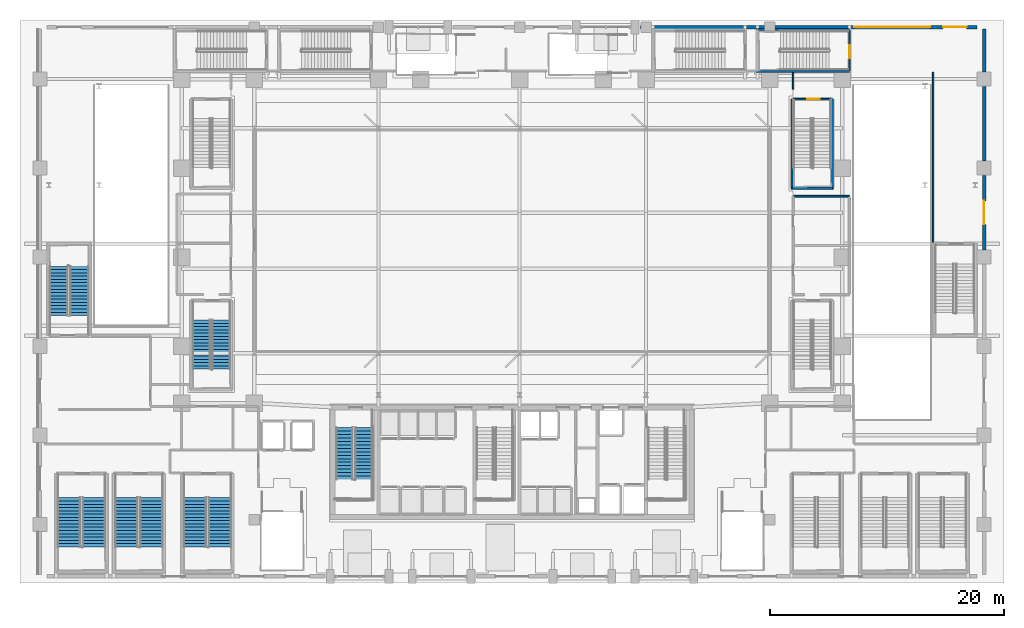
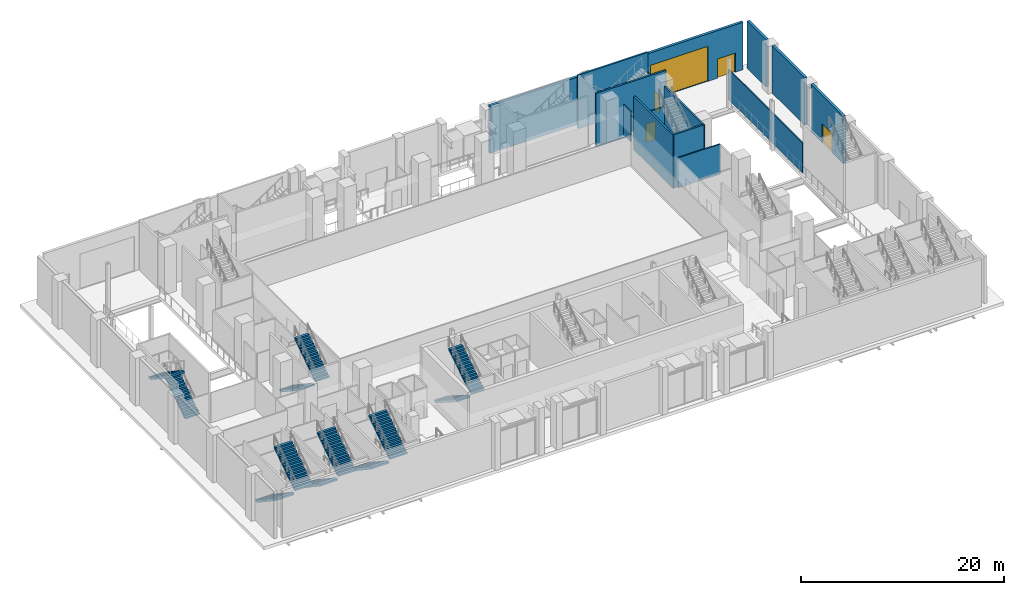
# One storey, part 23 of 36: 14 walls, 12 stair flights, 5 doors, 5 openings, 6 elements without a shape of their own.
"""IFC4 building model written with IfcOpenShell, lengths in metres."""

import ifcopenshell
import ifcopenshell.guid

model = None  # the IFC model being written
_history = None  # IfcOwnerHistory: only IFC2X3 demands one
_inside = {}  # id of a spatial element -> (the spatial element, [elements in it])
_under = {}  # id of a project, library or spatial element -> (it, [spatial elements below it])
_declared = {}  # id of a project -> (the project, [libraries it declares])
_typed = {}  # id of a type object -> (the type object, [elements of that type])
_made_of = {}  # id of a material, layer set ... -> (it, [elements and type objects made of it])


def new_model(schema):
    """Start an empty IFC model of exactly this schema.

    Asked for "IFC4X3", IfcOpenShell would pick the latest addendum, in which some entities
    have other attributes; the version numbers below select the first issue.
    IFC2X3 requires an IfcOwnerHistory on every rooted entity: one is made here for all.
    """
    global model, _history
    if schema == "IFC4X3":
        model = ifcopenshell.file(schema_version=(4, 3, 0, 0))
    else:
        model = ifcopenshell.file(schema=schema)
    _inside.clear()
    _under.clear()
    _declared.clear()
    _typed.clear()
    _made_of.clear()
    _history = None
    if model.schema == "IFC2X3":
        org = make("IfcOrganization", Name="unknown")
        user = make(
            "IfcPersonAndOrganization",
            ThePerson=make("IfcPerson", FamilyName="unknown"),
            TheOrganization=org,
        )
        app = make(
            "IfcApplication",
            ApplicationDeveloper=org,
            Version="unknown",
            ApplicationFullName="unknown",
            ApplicationIdentifier="unknown",
        )
        _history = make(
            "IfcOwnerHistory",
            OwningUser=user,
            OwningApplication=app,
            ChangeAction="ADDED",
            CreationDate=0,
        )
    return model


def make(cls, **values):
    """One entity of the class cls with the attributes given. An attribute that is None is left unset."""
    return model.create_entity(
        cls, **{name: value for name, value in values.items() if value is not None}
    )


def rooted(cls, **values):
    """An entity with a GlobalId (a new one), such as an element, a storey or a relation."""
    return make(cls, GlobalId=ifcopenshell.guid.new(), OwnerHistory=_history, **values)


def si_unit(unit_type, name, prefix=None):
    """IfcSIUnit, for example si_unit("LENGTHUNIT", "METRE", prefix="MILLI")."""
    return make("IfcSIUnit", UnitType=unit_type, Prefix=prefix, Name=name)


def assignment(units):
    """IfcUnitAssignment: the units of a project."""
    return None if units is None else make("IfcUnitAssignment", Units=units)


def point(xyz):
    """IfcCartesianPoint."""
    return None if xyz is None else make("IfcCartesianPoint", Coordinates=xyz)


def direction(xyz):
    """IfcDirection."""
    return None if xyz is None else make("IfcDirection", DirectionRatios=xyz)


def frame(location, z_axis=None, x_axis=None):
    """IfcAxis2Placement3D, a coordinate frame: its origin and axes. An axis left out is left unset."""
    return make(
        "IfcAxis2Placement3D",
        Location=point(location),
        Axis=direction(z_axis),
        RefDirection=direction(x_axis),
    )


def frame_2d(location, x_axis=None):
    """IfcAxis2Placement2D, a coordinate frame in the plane: its origin and x axis."""
    return make(
        "IfcAxis2Placement2D", Location=point(location), RefDirection=direction(x_axis)
    )


def origin():
    """The frame at (0, 0, 0) with its axes left unset."""
    return frame((0.0, 0.0, 0.0))


def place(relative_to, where):
    """IfcLocalPlacement: puts the frame where relative to a parent placement (None: the world)."""
    return make(
        "IfcLocalPlacement", PlacementRelTo=relative_to, RelativePlacement=where
    )


def context(
    kind, dimensions, precision=None, world=None, true_north=None, identifier=None
):
    """IfcGeometricRepresentationContext, for example the 3D "Model" context."""
    return make(
        "IfcGeometricRepresentationContext",
        ContextIdentifier=identifier,
        ContextType=kind,
        CoordinateSpaceDimension=dimensions,
        Precision=precision,
        WorldCoordinateSystem=world,
        TrueNorth=true_north,
    )


def subcontext(parent, identifier, kind, view, scale=None):
    """IfcGeometricRepresentationSubContext, for example "Body" below "Model"."""
    return make(
        "IfcGeometricRepresentationSubContext",
        ContextIdentifier=identifier,
        ContextType=kind,
        ParentContext=parent,
        TargetScale=scale,
        TargetView=view,
    )


def project(units=None, contexts=None):
    """IfcProject with its units and contexts."""
    return rooted(
        "IfcProject",
        Name="project",
        RepresentationContexts=contexts,
        UnitsInContext=assignment(units),
    )


def spatial(cls, under=None, at=None, **own):
    """A site, building, storey or space (cls), placed at a placement, below another one or the project."""
    s = rooted(cls, ObjectPlacement=at, **own)
    if under is not None:
        _under.setdefault(under.id(), (under, []))[1].append(s)
    return s


def polyline(points):
    """IfcPolyline through the points."""
    return make("IfcPolyline", Points=[point(p) for p in points])


def profile(cls, at=None, kind="AREA", **sizes):
    """A parametric profile (cls). Its sizes go by their IFC names, for example OverallWidth=200.0."""
    return make(cls, ProfileType=kind, Position=at, **sizes)


def rectangle(**sizes):
    """IfcRectangleProfileDef."""
    return profile("IfcRectangleProfileDef", **sizes)


def outline(outer, holes=None, kind="AREA"):
    """IfcArbitraryClosedProfileDef: a profile drawn as a closed curve; with holes, ...WithVoids."""
    if holes is None:
        return make("IfcArbitraryClosedProfileDef", ProfileType=kind, OuterCurve=outer)
    return make(
        "IfcArbitraryProfileDefWithVoids",
        ProfileType=kind,
        OuterCurve=outer,
        InnerCurves=holes,
    )


def extrude(swept, where, along, depth):
    """IfcExtrudedAreaSolid: the profile swept, set in the frame where, extruded along a direction by depth."""
    return make(
        "IfcExtrudedAreaSolid",
        SweptArea=swept,
        Position=where,
        ExtrudedDirection=direction(along),
        Depth=depth,
    )


def shape(context_of_items, identifier, shape_type, items):
    """IfcShapeRepresentation: the items that make up one representation, for example the "Body"."""
    return make(
        "IfcShapeRepresentation",
        ContextOfItems=context_of_items,
        RepresentationIdentifier=identifier,
        RepresentationType=shape_type,
        Items=items,
    )


def material(Name=None, Category=None):
    """IfcMaterial."""
    return make("IfcMaterial", Name=Name, Category=Category)


def layer(
    of_material, thickness, ventilated=None, Name=None, Category=None, Priority=None
):
    """IfcMaterialLayer: one layer of a wall or slab, of a material (None: an air gap)."""
    return make(
        "IfcMaterialLayer",
        Material=of_material,
        LayerThickness=thickness,
        IsVentilated=ventilated,
        Name=Name,
        Category=Category,
        Priority=Priority,
    )


def layer_set(layers, Name=None):
    """IfcMaterialLayerSet."""
    return make("IfcMaterialLayerSet", MaterialLayers=layers, LayerSetName=Name)


def made_of(thing, what):
    """Note that an element or type object is made of a material, layer set ...; save() writes the relation."""
    if what is not None:
        _made_of.setdefault(what.id(), (what, []))[1].append(thing)
    return thing


def type_object(cls, material=None, **own):
    """A type object (cls), such as IfcWallType, which elements share."""
    return made_of(rooted(cls, **own), material)


def element(
    cls,
    number,
    at=None,
    inside=None,
    cuts=None,
    type_object=None,
    material=None,
    context=None,
    identifier="Body",
    shape_type=None,
    held_by="IfcProductDefinitionShape",
    body=None,
    shapes=None,
    **own,
):
    """One element of the class cls, such as IfcWall. Its Tag is "e" and its number.

    at: its placement. inside: the storey or other place that contains it. cuts: it is an
    opening in that element (IfcRelVoidsElement). A single representation is given by context,
    identifier, shape_type and body (its items); several are given by shapes. held_by: the class
    of the entity that holds the representations. save() writes the other relations.
    """
    e = rooted(cls, Tag="e%d" % number, ObjectPlacement=at, **own)
    if body is not None:
        shapes = [shape(context, identifier, shape_type, body)]
    if shapes is not None:
        e.Representation = make(held_by, Representations=shapes)
    if inside is not None:
        _inside.setdefault(inside.id(), (inside, []))[1].append(e)
    if cuts is not None:
        rooted(
            "IfcRelVoidsElement", RelatingBuildingElement=cuts, RelatedOpeningElement=e
        )
    if type_object is not None:
        _typed.setdefault(type_object.id(), (type_object, []))[1].append(e)
    return made_of(e, material)


def fill(opening, filler):
    """IfcRelFillsElement: the door or window that sits in an opening."""
    return rooted(
        "IfcRelFillsElement",
        RelatingOpeningElement=opening,
        RelatedBuildingElement=filler,
    )


def aggregate(whole, parts):
    """IfcRelAggregates: a whole, such as a stair, and the parts it consists of."""
    return rooted("IfcRelAggregates", RelatingObject=whole, RelatedObjects=parts)


def save(model, path):
    """Write the relations noted so far, then the file.

    IfcRelAggregates (storeys below a building ...), IfcRelContainedInSpatialStructure (elements
    in a storey), IfcRelDefinesByType, IfcRelAssociatesMaterial and IfcRelDeclares: one each for
    every whole, place, type object, material and project.
    """
    for whole, parts in _under.values():
        aggregate(whole, parts)
    for where, things in _inside.values():
        rooted(
            "IfcRelContainedInSpatialStructure",
            RelatedElements=things,
            RelatingStructure=where,
        )
    for kind, things in _typed.values():
        rooted("IfcRelDefinesByType", RelatedObjects=things, RelatingType=kind)
    for what, things in _made_of.values():
        rooted("IfcRelAssociatesMaterial", RelatedObjects=things, RelatingMaterial=what)
    for by, libraries in _declared.values():
        rooted("IfcRelDeclares", RelatingContext=by, RelatedDefinitions=libraries)
    model.write(path)


model = new_model("IFC4")

# Units and contexts
model_context = context("Model", 3, precision=1e-05, world=origin(), true_north=direction((0.0, 1.0)))
body_context = subcontext(model_context, "Body", "Model", "MODEL_VIEW")
ifc_project = project(units=[si_unit("LENGTHUNIT", "METRE"), si_unit("AREAUNIT", "SQUARE_METRE"), si_unit("VOLUMEUNIT", "CUBIC_METRE"), si_unit("PLANEANGLEUNIT", "RADIAN"), si_unit("MASSUNIT", "GRAM", prefix="KILO")], contexts=[model_context])

# Site, building, storey
site_placement = place(None, origin())
site = spatial("IfcSite", under=ifc_project, at=site_placement, CompositionType="ELEMENT")
building_placement = place(site_placement, origin())
building = spatial("IfcBuilding", under=site, at=building_placement, Name="Ndaravel Arena Tower", CompositionType="ELEMENT")
storey_placement = place(building_placement, origin())
storey = spatial("IfcBuildingStorey", under=building, at=storey_placement, Name="L00", CompositionType="ELEMENT", Elevation=0.0)

# Walls
ifc_material_1 = material(Name="Gypsum", Category="gypsum")
ifc_layer_1 = layer(ifc_material_1, 0.125)
ifc_layer_set_1 = layer_set([ifc_layer_1], Name="Gypsum")
wall_type_1 = type_object("IfcWallType", Name="WALL-PART-125", PredefinedType="PARTITIONING", material=ifc_layer_set_1)
wall_1_placement = place(storey_placement, frame((66.0, 43.5400390625, 0.0), z_axis=(0.0, 0.0, 1.0), x_axis=(0.0, -1.0, 0.0)))
element("IfcWall", 1, at=wall_1_placement, inside=storey, type_object=wall_type_1, Name="L00 Interior Partition 018", PredefinedType="PARTITIONING", context=body_context, shape_type="SweptSolid", body=[
    extrude(rectangle(XDim=1.39013671875, YDim=0.125, at=frame_2d((0.695068359375, 0.0))), origin(), (0.0, 0.0, 1.0), 3.60009765625),
])
wall_2_placement = place(storey_placement, frame((77.949951171875, 29.070068359375, 0.0), z_axis=(0.0, 0.0, 1.0), x_axis=(0.0, 1.0, 0.0)))
element("IfcWall", 2, at=wall_2_placement, inside=storey, type_object=wall_type_1, Name="L00 Interior Partition 042", PredefinedType="PARTITIONING", context=body_context, shape_type="SweptSolid", body=[
    extrude(rectangle(XDim=14.530029296875, YDim=0.125, at=frame_2d((7.26513671875, 0.0))), origin(), (0.0, 0.0, 1.0), 3.60009765625),
])

# Wall, openings, doors
ifc_material_2 = material(Name="Masonry", Category="masonry")
ifc_layer_2 = layer(ifc_material_2, 0.300048828125)
ifc_layer_set_2 = layer_set([ifc_layer_2], Name="Masonry")
wall_type_2 = type_object("IfcWallType", Name="WALL-POD-MAZERAS-300", PredefinedType="SOLIDWALL", material=ifc_layer_set_2)
wall_3_placement = place(storey_placement, frame((52.949951171875, 47.449951171875, 0.0), z_axis=(0.0, 0.0, 1.0), x_axis=(1.0, 0.0, 0.0)))
wall_3 = element("IfcWall", 3, at=wall_3_placement, inside=storey, type_object=wall_type_2, Name="L00 North-East Mazeras Wall", PredefinedType="SOLIDWALL", context=body_context, shape_type="SweptSolid", body=[
    extrude(rectangle(XDim=28.75, YDim=0.300048828125, at=frame_2d((14.375, 0.0))), origin(), (0.0, 0.0, 1.0), 5.699951171875),
])
opening_1_placement = place(wall_3_placement, frame((25.85009765625, 0.0, 0.0)))
opening_1 = element("IfcOpeningElement", 4, at=opening_1_placement, cuts=wall_3, Name="Opening ED-04", PredefinedType="OPENING", context=body_context, shape_type="SweptSolid", body=[
    extrude(rectangle(XDim=2.0, YDim=2.300048828125, at=frame_2d((1.0, 1.14990234375))), frame((0.0, 0.14990234375, 0.0), z_axis=(0.0, -1.0, 0.0), x_axis=(1.0, 0.0, 0.0)), (0.0, 0.0, 1.0), 0.300048828125),
])
opening_2_placement = place(wall_3_placement, frame((18.25, 0.0, 0.0)))
opening_2 = element("IfcOpeningElement", 5, at=opening_2_placement, cuts=wall_3, Name="Opening RS-02", PredefinedType="OPENING", context=body_context, shape_type="SweptSolid", body=[
    extrude(rectangle(XDim=6.5, YDim=4.199951171875, at=frame_2d((3.25, 2.10009765625))), frame((0.0, 0.14990234375, 0.0), z_axis=(0.0, -1.0, 0.0), x_axis=(1.0, 0.0, 0.0)), (0.0, 0.0, 1.0), 0.300048828125),
])
ifc_material_3 = material(Name="Aluminium", Category="aluminium")
door_type_1 = type_object("IfcDoorType", Name="ED-EXIT-2000", OperationType="DOUBLE_DOOR_SINGLE_SWING", PredefinedType="DOOR", material=ifc_material_3)
door_1_placement = place(opening_1_placement, origin())
door_1 = element("IfcDoor", 6, at=door_1_placement, inside=storey, type_object=door_type_1, Name="North-East Concourse Discharge Door", OperationType="DOUBLE_DOOR_SINGLE_SWING", OverallHeight=2.300048828125, OverallWidth=2.0, PredefinedType="DOOR", context=body_context, shape_type="SweptSolid", body=[
    extrude(rectangle(XDim=2.0, YDim=2.300048828125, at=frame_2d((1.0, 1.14990234375))), frame((0.0, 0.02490234375, 0.0), z_axis=(0.0, -1.0, 0.0), x_axis=(1.0, 0.0, 0.0)), (0.0, 0.0, 1.0), 0.050048828125),
])
fill(opening_1, door_1)
ifc_material_4 = material(Name="Aluminium", Category="aluminium")
door_type_2 = type_object("IfcDoorType", Name="ED-SHUT-6500", OperationType="ROLLINGUP", PredefinedType="GATE", material=ifc_material_4)
door_2_placement = place(opening_2_placement, origin())
door_2 = element("IfcDoor", 7, at=door_2_placement, inside=storey, type_object=door_type_2, Name="OB Broadcast Dock Ramp R2 Roller Shutter", OperationType="ROLLINGUP", OverallHeight=4.199951171875, OverallWidth=6.5, PredefinedType="GATE", context=body_context, shape_type="SweptSolid", body=[
    extrude(rectangle(XDim=6.5, YDim=4.199951171875, at=frame_2d((3.25, 2.10009765625))), frame((0.0, 0.02490234375, 0.0), z_axis=(0.0, -1.0, 0.0), x_axis=(1.0, 0.0, 0.0)), (0.0, 0.0, 1.0), 0.050048828125),
])
fill(opening_2, door_2)

# Wall, opening, door
wall_4_placement = place(storey_placement, frame((82.300048828125, 34.780029296875, 0.0), z_axis=(0.0, 0.0, 1.0), x_axis=(0.0, -1.0, 0.0)))
wall_4 = element("IfcWall", 8, at=wall_4_placement, inside=storey, type_object=wall_type_2, Name="L00 East Mazeras Bay 5", PredefinedType="SOLIDWALL", context=body_context, shape_type="SweptSolid", body=[
    extrude(rectangle(XDim=6.360107421875, YDim=0.300048828125, at=frame_2d((3.18017578125, 0.0))), origin(), (0.0, 0.0, 1.0), 5.699951171875),
])
opening_3_placement = place(wall_4_placement, frame((2.179931640625, 0.0, 0.0)))
opening_3 = element("IfcOpeningElement", 9, at=opening_3_placement, cuts=wall_4, Name="Opening ED-04", PredefinedType="OPENING", context=body_context, shape_type="SweptSolid", body=[
    extrude(rectangle(XDim=2.0, YDim=2.300048828125, at=frame_2d((1.0, 1.14990234375))), frame((0.0, 0.14990234375, 0.0), z_axis=(0.0, -1.0, 0.0), x_axis=(1.0, 0.0, 0.0)), (0.0, 0.0, 1.0), 0.300048828125),
])
door_3_placement = place(opening_3_placement, origin())
door_3 = element("IfcDoor", 10, at=door_3_placement, inside=storey, type_object=door_type_1, Name="Protected Passageway ST-A12 Final Exit Door", OperationType="DOUBLE_DOOR_SINGLE_SWING", OverallHeight=2.300048828125, OverallWidth=2.0, PredefinedType="DOOR", context=body_context, shape_type="SweptSolid", body=[
    extrude(rectangle(XDim=2.0, YDim=2.300048828125, at=frame_2d((1.0, 1.14990234375))), frame((0.0, 0.02490234375, 0.0), z_axis=(0.0, -1.0, 0.0), x_axis=(1.0, 0.0, 0.0)), (0.0, 0.0, 1.0), 0.050048828125),
])
fill(opening_3, door_3)

# Walls
wall_5_placement = place(storey_placement, frame((82.300048828125, 42.3798828125, 0.0), z_axis=(0.0, 0.0, 1.0), x_axis=(0.0, -1.0, 0.0)))
element("IfcWall", 11, at=wall_5_placement, inside=storey, type_object=wall_type_2, Name="L00 East Mazeras Bay 6", PredefinedType="SOLIDWALL", context=body_context, shape_type="SweptSolid", body=[
    extrude(rectangle(XDim=6.35986328125, YDim=0.300048828125, at=frame_2d((3.179931640625, 0.0))), origin(), (0.0, 0.0, 1.0), 5.699951171875),
])
wall_6_placement = place(storey_placement, frame((82.300048828125, 47.300048828125, 0.0), z_axis=(0.0, 0.0, 1.0), x_axis=(0.0, -1.0, 0.0)))
element("IfcWall", 12, at=wall_6_placement, inside=storey, type_object=wall_type_2, Name="L00 East Mazeras Bay 7", PredefinedType="SOLIDWALL", context=body_context, shape_type="SweptSolid", body=[
    extrude(rectangle(XDim=3.699951171875, YDim=0.300048828125, at=frame_2d((1.85009765625, 0.0))), origin(), (0.0, 0.0, 1.0), 5.699951171875),
])

# Wall, opening, door
ifc_material_5 = material(Name="Concrete C40/50", Category="concrete")
ifc_layer_3 = layer(ifc_material_5, 0.1201171875)
ifc_layer_set_3 = layer_set([ifc_layer_3], Name="Concrete C40/50")
wall_type_3 = type_object("IfcWallType", Name="WALL-SHAFT-120", PredefinedType="SOLIDWALL", material=ifc_layer_set_3)
wall_7_placement = place(storey_placement, frame((70.800048828125, 47.135009765625, 0.0), z_axis=(0.0, 0.0, 1.0), x_axis=(0.0, -1.0, 0.0)))
wall_7 = element("IfcWall", 13, at=wall_7_placement, inside=storey, type_object=wall_type_3, Name="L00 ST-A11 Entry Wall", PredefinedType="SOLIDWALL", context=body_context, shape_type="SweptSolid", body=[
    extrude(rectangle(XDim=3.3701171875, YDim=0.1201171875, at=frame_2d((1.68505859375, 0.0))), origin(), (0.0, 0.0, 1.0), 3.60009765625),
])
opening_4_placement = place(wall_7_placement, frame((1.239990234375, 0.0, 0.0)))
opening_4 = element("IfcOpeningElement", 14, at=opening_4_placement, cuts=wall_7, Name="Opening FD-01", PredefinedType="OPENING", context=body_context, shape_type="SweptSolid", body=[
    extrude(rectangle(XDim=1.10009765625, YDim=2.199951171875, at=frame_2d((0.550048828125, 1.10009765625))), frame((0.0, 0.06005859375, 0.0), z_axis=(0.0, -1.0, 0.0), x_axis=(1.0, 0.0, 0.0)), (0.0, 0.0, 1.0), 0.1201171875),
])
ifc_material_6 = material(Name="Steel S355", Category="steel")
door_type_3 = type_object("IfcDoorType", Name="DT-01-STAIR-1100", OperationType="SINGLE_SWING_LEFT", PredefinedType="DOOR", material=ifc_material_6)
door_4_placement = place(opening_4_placement, origin())
door_4 = element("IfcDoor", 15, at=door_4_placement, inside=storey, type_object=door_type_3, Name="L00 ST-A11 Fire Exit Stair Door", OperationType="SINGLE_SWING_LEFT", OverallHeight=2.199951171875, OverallWidth=1.10009765625, PredefinedType="DOOR", context=body_context, shape_type="SweptSolid", body=[
    extrude(rectangle(XDim=1.10009765625, YDim=2.199951171875, at=frame_2d((0.550048828125, 1.10009765625))), frame((0.0, 0.02490234375, 0.0), z_axis=(0.0, -1.0, 0.0), x_axis=(1.0, 0.0, 0.0)), (0.0, 0.0, 1.0), 0.050048828125),
])
fill(opening_4, door_4)

wall_8_placement = place(storey_placement, frame((66.0048828125, 41.300048828125, 0.0), z_axis=(0.0, 0.0, 1.0), x_axis=(1.0, 0.0, 0.0)))
wall_8 = element("IfcWall", 16, at=wall_8_placement, inside=storey, type_object=wall_type_3, Name="L00 ST-VOM-4 Entry Wall", PredefinedType="SOLIDWALL", context=body_context, shape_type="SweptSolid", body=[
    extrude(rectangle(XDim=3.25, YDim=0.1201171875, at=frame_2d((1.625, 0.0))), origin(), (0.0, 0.0, 1.0), 3.60009765625),
])
opening_5_placement = place(wall_8_placement, frame((1.179931640625, 0.0, 0.0)))
opening_5 = element("IfcOpeningElement", 17, at=opening_5_placement, cuts=wall_8, Name="Opening FD-01", PredefinedType="OPENING", context=body_context, shape_type="SweptSolid", body=[
    extrude(rectangle(XDim=1.10009765625, YDim=2.199951171875, at=frame_2d((0.550048828125, 1.10009765625))), frame((0.0, 0.06005859375, 0.0), z_axis=(0.0, -1.0, 0.0), x_axis=(1.0, 0.0, 0.0)), (0.0, 0.0, 1.0), 0.1201171875),
])
door_5_placement = place(opening_5_placement, origin())
door_5 = element("IfcDoor", 18, at=door_5_placement, inside=storey, type_object=door_type_3, Name="L00 ST-VOM-4 Fire Exit Stair Door", OperationType="SINGLE_SWING_LEFT", OverallHeight=2.199951171875, OverallWidth=1.10009765625, PredefinedType="DOOR", context=body_context, shape_type="SweptSolid", body=[
    extrude(rectangle(XDim=1.10009765625, YDim=2.199951171875, at=frame_2d((0.550048828125, 1.10009765625))), frame((0.0, 0.02490234375, 0.0), z_axis=(0.0, -1.0, 0.0), x_axis=(1.0, 0.0, 0.0)), (0.0, 0.0, 1.0), 0.050048828125),
])
fill(opening_5, door_5)

# Walls
ifc_material_7 = material(Name="Concrete C40/50", Category="concrete")
ifc_layer_4 = layer(ifc_material_7, 0.199951171875)
ifc_layer_set_4 = layer_set([ifc_layer_4], Name="Concrete C40/50")
wall_type_4 = type_object("IfcWallType", Name="WALL-SHAFT-200", PredefinedType="SOLIDWALL", material=ifc_layer_set_4)
for number, where, z_axis, x_axis, name in (
    (19, (70.800048828125, 47.239990234375, -0.39990234375), (0.0, 0.0, 1.0), (-1.0, 0.0, 0.0), "L00 ST-A11 Shaft Wall Left"),
    (20, (70.800048828125, 43.659912109375, -0.39990234375), (0.0, 0.0, 1.0), (-1.0, 0.0, 0.0), "L00 ST-A11 Shaft Wall Right"),
):
    element("IfcWall", number, at=place(storey_placement, frame(where, z_axis=z_axis, x_axis=x_axis)), inside=storey, type_object=wall_type_4, Name=name, PredefinedType="SOLIDWALL", context=body_context, shape_type="SweptSolid", body=[
        extrude(rectangle(XDim=7.949951171875, YDim=0.199951171875, at=frame_2d((3.97509765625, 0.0))), origin(), (0.0, 0.0, 1.0), 6.39990234375),
    ])
for number, where, z_axis, x_axis, name in (
    (21, (65.89990234375, 41.300048828125, -0.39990234375), (0.0, 0.0, 1.0), (0.0, -1.0, 0.0), "L00 ST-VOM-4 Shaft Wall Left"),
    (22, (69.360107421875, 41.300048828125, -0.39990234375), (0.0, 0.0, 1.0), (0.0, -1.0, 0.0), "L00 ST-VOM-4 Shaft Wall Right"),
):
    element("IfcWall", number, at=place(storey_placement, frame(where, z_axis=z_axis, x_axis=x_axis)), inside=storey, type_object=wall_type_4, Name=name, PredefinedType="SOLIDWALL", context=body_context, shape_type="SweptSolid", body=[
        extrude(rectangle(XDim=7.699951171875, YDim=0.199951171875, at=frame_2d((3.85009765625, 0.0))), origin(), (0.0, 0.0, 1.0), 6.39990234375),
    ])
wall_9_placement = place(storey_placement, frame((65.909912109375, 33.699951171875, -0.39990234375), z_axis=(0.0, 0.0, 1.0), x_axis=(1.0, 0.0, 0.0)))
element("IfcWall", 23, at=wall_9_placement, inside=storey, type_object=wall_type_4, Name="L00 ST-VOM-4 Shaft Wall Far", PredefinedType="SOLIDWALL", context=body_context, shape_type="SweptSolid", body=[
    extrude(rectangle(XDim=3.440185546875, YDim=0.199951171875, at=frame_2d((1.72021484375, 0.0))), origin(), (0.0, 0.0, 1.0), 6.39990234375),
])
ifc_material_8 = material(Name="Masonry", Category="masonry")
ifc_layer_5 = layer(ifc_material_8, 0.14990234375)
ifc_layer_set_5 = layer_set([ifc_layer_5], Name="Masonry")
wall_type_5 = type_object("IfcWallType", Name="WALL-WET-150", PredefinedType="PARTITIONING", material=ifc_layer_set_5)
wall_10_placement = place(storey_placement, frame((66.06494140625, 33.0, 0.0), z_axis=(0.0, 0.0, 1.0), x_axis=(1.0, 0.0, 0.0)))
element("IfcWall", 24, at=wall_10_placement, inside=storey, type_object=wall_type_5, Name="L00 Interior Partition 060", PredefinedType="PARTITIONING", context=body_context, shape_type="SweptSolid", body=[
    extrude(rectangle(XDim=4.735107421875, YDim=0.14990234375, at=frame_2d((2.36767578125, 0.0))), origin(), (0.0, 0.0, 1.0), 3.60009765625),
])

# Stair, stair flights
ifc_material_9 = material(Name="Concrete C40/50", Category="concrete")
stair_type_1 = type_object("IfcStairType", Name="STAIR-ARENA-HT", PredefinedType="HALF_TURN_STAIR", material=ifc_material_9)
stair_1_placement = place(storey_placement, origin())
stair_1 = element("IfcStair", 25, at=stair_1_placement, inside=storey, type_object=stair_type_1, Name="L00 ST-A01", PredefinedType="HALF_TURN_STAIR")
ifc_material_10 = material(Name="Concrete C40/50", Category="concrete")
stair_flight_type_1 = type_object("IfcStairFlightType", Name="SFLIGHT-ARENA-1980", PredefinedType="STRAIGHT", material=ifc_material_10)
stair_flight_1_placement = place(storey_placement, frame((4.18994140625, 7.27001953125, 0.0), z_axis=(0.0, 0.0, 1.0), x_axis=(0.0, -1.0, 0.0)))
stair_flight_1 = element("IfcStairFlight", 26, at=stair_flight_1_placement, type_object=stair_flight_type_1, Name="ST-A01 flight 1", NumberOfRisers=16, NumberOfTreads=15, PredefinedType="STRAIGHT", RiserHeight=0.1875, TreadLength=0.28, context=body_context, shape_type="SweptSolid", body=[
    extrude(outline(polyline([(0.0, 0.0), (0.0, 0.1875), (0.280029296875, 0.1875), (0.280029296875, 0.375), (0.56005859375, 0.375), (0.56005859375, 0.5625), (0.840087890625, 0.5625), (0.840087890625, 0.75), (1.1201171875, 0.75), (1.1201171875, 0.9375), (1.39990234375, 0.9375), (1.39990234375, 1.125), (1.679931640625, 1.125), (1.679931640625, 1.3125), (1.9599609375, 1.3125), (1.9599609375, 1.5), (2.239990234375, 1.5), (2.239990234375, 1.6875), (2.52001953125, 1.6875), (2.52001953125, 1.875), (2.800048828125, 1.875), (2.800048828125, 2.0625), (3.080078125, 2.0625), (3.080078125, 2.25), (3.360107421875, 2.25), (3.360107421875, 2.4375), (3.639892578125, 2.4375), (3.639892578125, 2.625), (3.919921875, 2.625), (3.919921875, 2.8125), (4.199951171875, 2.8125), (4.199951171875, 3.0), (4.199951171875, 2.57177734375), (0.359375, 0.0), (0.0, 0.0)])), frame((0.0, 0.989990234375, 0.0), z_axis=(0.0, -1.0, 0.0), x_axis=(1.0, 0.0, 0.0)), (0.0, 0.0, 1.0), 1.97998046875),
])
stair_flight_2_placement = place(storey_placement, frame((6.31005859375, 3.070068359375, 3.0), z_axis=(0.0, 0.0, 1.0), x_axis=(0.0, 1.0, 0.0)))
stair_flight_2 = element("IfcStairFlight", 27, at=stair_flight_2_placement, type_object=stair_flight_type_1, Name="ST-A01 flight 2", NumberOfRisers=16, NumberOfTreads=15, PredefinedType="STRAIGHT", RiserHeight=0.1875, TreadLength=0.28, context=body_context, shape_type="SweptSolid", body=[
    extrude(outline(polyline([(0.0, 0.0), (0.0, 0.1875), (0.280029296875, 0.1875), (0.280029296875, 0.375), (0.56005859375, 0.375), (0.56005859375, 0.5625), (0.840087890625, 0.5625), (0.840087890625, 0.75), (1.1201171875, 0.75), (1.1201171875, 0.9375), (1.39990234375, 0.9375), (1.39990234375, 1.125), (1.679931640625, 1.125), (1.679931640625, 1.3125), (1.9599609375, 1.3125), (1.9599609375, 1.5), (2.239990234375, 1.5), (2.239990234375, 1.6875), (2.52001953125, 1.6875), (2.52001953125, 1.875), (2.800048828125, 1.875), (2.800048828125, 2.0625), (3.080078125, 2.0625), (3.080078125, 2.25), (3.360107421875, 2.25), (3.360107421875, 2.4375), (3.639892578125, 2.4375), (3.639892578125, 2.625), (3.919921875, 2.625), (3.919921875, 2.8125), (4.199951171875, 2.8125), (4.199951171875, 3.0), (4.199951171875, 2.57177734375), (0.359375, 0.0), (0.0, 0.0)])), frame((0.0, 0.989990234375, 0.0), z_axis=(0.0, -1.0, 0.0), x_axis=(1.0, 0.0, 0.0)), (0.0, 0.0, 1.0), 1.97998046875),
])
aggregate(stair_1, [stair_flight_1, stair_flight_2])

stair_2_placement = place(storey_placement, origin())
stair_2 = element("IfcStair", 28, at=stair_2_placement, inside=storey, type_object=stair_type_1, Name="L00 ST-A02", PredefinedType="HALF_TURN_STAIR")
stair_flight_3_placement = place(storey_placement, frame((9.090087890625, 7.27001953125, 0.0), z_axis=(0.0, 0.0, 1.0), x_axis=(0.0, -1.0, 0.0)))
stair_flight_3 = element("IfcStairFlight", 29, at=stair_flight_3_placement, type_object=stair_flight_type_1, Name="ST-A02 flight 1", NumberOfRisers=16, NumberOfTreads=15, PredefinedType="STRAIGHT", RiserHeight=0.1875, TreadLength=0.28, context=body_context, shape_type="SweptSolid", body=[
    extrude(outline(polyline([(0.0, 0.0), (0.0, 0.1875), (0.280029296875, 0.1875), (0.280029296875, 0.375), (0.56005859375, 0.375), (0.56005859375, 0.5625), (0.840087890625, 0.5625), (0.840087890625, 0.75), (1.1201171875, 0.75), (1.1201171875, 0.9375), (1.39990234375, 0.9375), (1.39990234375, 1.125), (1.679931640625, 1.125), (1.679931640625, 1.3125), (1.9599609375, 1.3125), (1.9599609375, 1.5), (2.239990234375, 1.5), (2.239990234375, 1.6875), (2.52001953125, 1.6875), (2.52001953125, 1.875), (2.800048828125, 1.875), (2.800048828125, 2.0625), (3.080078125, 2.0625), (3.080078125, 2.25), (3.360107421875, 2.25), (3.360107421875, 2.4375), (3.639892578125, 2.4375), (3.639892578125, 2.625), (3.919921875, 2.625), (3.919921875, 2.8125), (4.199951171875, 2.8125), (4.199951171875, 3.0), (4.199951171875, 2.57177734375), (0.359375, 0.0), (0.0, 0.0)])), frame((0.0, 0.989990234375, 0.0), z_axis=(0.0, -1.0, 0.0), x_axis=(1.0, 0.0, 0.0)), (0.0, 0.0, 1.0), 1.97998046875),
])
stair_flight_4_placement = place(storey_placement, frame((11.2099609375, 3.070068359375, 3.0), z_axis=(0.0, 0.0, 1.0), x_axis=(0.0, 1.0, 0.0)))
stair_flight_4 = element("IfcStairFlight", 30, at=stair_flight_4_placement, type_object=stair_flight_type_1, Name="ST-A02 flight 2", NumberOfRisers=16, NumberOfTreads=15, PredefinedType="STRAIGHT", RiserHeight=0.1875, TreadLength=0.28, context=body_context, shape_type="SweptSolid", body=[
    extrude(outline(polyline([(0.0, 0.0), (0.0, 0.1875), (0.280029296875, 0.1875), (0.280029296875, 0.375), (0.56005859375, 0.375), (0.56005859375, 0.5625), (0.840087890625, 0.5625), (0.840087890625, 0.75), (1.1201171875, 0.75), (1.1201171875, 0.9375), (1.39990234375, 0.9375), (1.39990234375, 1.125), (1.679931640625, 1.125), (1.679931640625, 1.3125), (1.9599609375, 1.3125), (1.9599609375, 1.5), (2.239990234375, 1.5), (2.239990234375, 1.6875), (2.52001953125, 1.6875), (2.52001953125, 1.875), (2.800048828125, 1.875), (2.800048828125, 2.0625), (3.080078125, 2.0625), (3.080078125, 2.25), (3.360107421875, 2.25), (3.360107421875, 2.4375), (3.639892578125, 2.4375), (3.639892578125, 2.625), (3.919921875, 2.625), (3.919921875, 2.8125), (4.199951171875, 2.8125), (4.199951171875, 3.0), (4.199951171875, 2.57177734375), (0.359375, 0.0), (0.0, 0.0)])), frame((0.0, 0.989990234375, 0.0), z_axis=(0.0, -1.0, 0.0), x_axis=(1.0, 0.0, 0.0)), (0.0, 0.0, 1.0), 1.97998046875),
])
aggregate(stair_2, [stair_flight_3, stair_flight_4])

stair_3_placement = place(storey_placement, origin())
stair_3 = element("IfcStair", 31, at=stair_3_placement, inside=storey, type_object=stair_type_1, Name="L00 ST-A03", PredefinedType="HALF_TURN_STAIR")
stair_flight_5_placement = place(storey_placement, frame((14.93994140625, 7.27001953125, 0.0), z_axis=(0.0, 0.0, 1.0), x_axis=(0.0, -1.0, 0.0)))
stair_flight_5 = element("IfcStairFlight", 32, at=stair_flight_5_placement, type_object=stair_flight_type_1, Name="ST-A03 flight 1", NumberOfRisers=16, NumberOfTreads=15, PredefinedType="STRAIGHT", RiserHeight=0.1875, TreadLength=0.28, context=body_context, shape_type="SweptSolid", body=[
    extrude(outline(polyline([(0.0, 0.0), (0.0, 0.1875), (0.280029296875, 0.1875), (0.280029296875, 0.375), (0.56005859375, 0.375), (0.56005859375, 0.5625), (0.840087890625, 0.5625), (0.840087890625, 0.75), (1.1201171875, 0.75), (1.1201171875, 0.9375), (1.39990234375, 0.9375), (1.39990234375, 1.125), (1.679931640625, 1.125), (1.679931640625, 1.3125), (1.9599609375, 1.3125), (1.9599609375, 1.5), (2.239990234375, 1.5), (2.239990234375, 1.6875), (2.52001953125, 1.6875), (2.52001953125, 1.875), (2.800048828125, 1.875), (2.800048828125, 2.0625), (3.080078125, 2.0625), (3.080078125, 2.25), (3.360107421875, 2.25), (3.360107421875, 2.4375), (3.639892578125, 2.4375), (3.639892578125, 2.625), (3.919921875, 2.625), (3.919921875, 2.8125), (4.199951171875, 2.8125), (4.199951171875, 3.0), (4.199951171875, 2.57177734375), (0.359375, 0.0), (0.0, 0.0)])), frame((0.0, 0.989990234375, 0.0), z_axis=(0.0, -1.0, 0.0), x_axis=(1.0, 0.0, 0.0)), (0.0, 0.0, 1.0), 1.97998046875),
])
stair_flight_6_placement = place(storey_placement, frame((17.06005859375, 3.070068359375, 3.0), z_axis=(0.0, 0.0, 1.0), x_axis=(0.0, 1.0, 0.0)))
stair_flight_6 = element("IfcStairFlight", 33, at=stair_flight_6_placement, type_object=stair_flight_type_1, Name="ST-A03 flight 2", NumberOfRisers=16, NumberOfTreads=15, PredefinedType="STRAIGHT", RiserHeight=0.1875, TreadLength=0.28, context=body_context, shape_type="SweptSolid", body=[
    extrude(outline(polyline([(0.0, 0.0), (0.0, 0.1875), (0.280029296875, 0.1875), (0.280029296875, 0.375), (0.56005859375, 0.375), (0.56005859375, 0.5625), (0.840087890625, 0.5625), (0.840087890625, 0.75), (1.1201171875, 0.75), (1.1201171875, 0.9375), (1.39990234375, 0.9375), (1.39990234375, 1.125), (1.679931640625, 1.125), (1.679931640625, 1.3125), (1.9599609375, 1.3125), (1.9599609375, 1.5), (2.239990234375, 1.5), (2.239990234375, 1.6875), (2.52001953125, 1.6875), (2.52001953125, 1.875), (2.800048828125, 1.875), (2.800048828125, 2.0625), (3.080078125, 2.0625), (3.080078125, 2.25), (3.360107421875, 2.25), (3.360107421875, 2.4375), (3.639892578125, 2.4375), (3.639892578125, 2.625), (3.919921875, 2.625), (3.919921875, 2.8125), (4.199951171875, 2.8125), (4.199951171875, 3.0), (4.199951171875, 2.57177734375), (0.359375, 0.0), (0.0, 0.0)])), frame((0.0, 0.989990234375, 0.0), z_axis=(0.0, -1.0, 0.0), x_axis=(1.0, 0.0, 0.0)), (0.0, 0.0, 1.0), 1.97998046875),
])
aggregate(stair_3, [stair_flight_5, stair_flight_6])

ifc_material_11 = material(Name="Concrete C40/50", Category="concrete")
stair_type_2 = type_object("IfcStairType", Name="STAIR-POD-QT", PredefinedType="QUARTER_TURN_STAIR", material=ifc_material_11)
stair_4_placement = place(storey_placement, origin())
stair_4 = element("IfcStair", 34, at=stair_4_placement, inside=storey, type_object=stair_type_2, Name="L00 ST-A07", PredefinedType="QUARTER_TURN_STAIR")
stair_flight_7_placement = place(storey_placement, frame((5.070068359375, 22.820068359375, 0.0), z_axis=(0.0, 0.0, 1.0), x_axis=(0.0, 1.0, 0.0)))
stair_flight_7 = element("IfcStairFlight", 35, at=stair_flight_7_placement, type_object=stair_flight_type_1, Name="ST-A07 flight 1", NumberOfRisers=16, NumberOfTreads=15, PredefinedType="STRAIGHT", RiserHeight=0.1875, TreadLength=0.28, context=body_context, shape_type="SweptSolid", body=[
    extrude(outline(polyline([(0.0, 0.0), (0.0, 0.1875), (0.280029296875, 0.1875), (0.280029296875, 0.375), (0.56005859375, 0.375), (0.56005859375, 0.5625), (0.840087890625, 0.5625), (0.840087890625, 0.75), (1.1201171875, 0.75), (1.1201171875, 0.9375), (1.39990234375, 0.9375), (1.39990234375, 1.125), (1.679931640625, 1.125), (1.679931640625, 1.3125), (1.9599609375, 1.3125), (1.9599609375, 1.5), (2.239990234375, 1.5), (2.239990234375, 1.6875), (2.52001953125, 1.6875), (2.52001953125, 1.875), (2.800048828125, 1.875), (2.800048828125, 2.0625), (3.080078125, 2.0625), (3.080078125, 2.25), (3.360107421875, 2.25), (3.360107421875, 2.4375), (3.639892578125, 2.4375), (3.639892578125, 2.625), (3.919921875, 2.625), (3.919921875, 2.8125), (4.199951171875, 2.8125), (4.199951171875, 3.0), (4.199951171875, 2.57177734375), (0.359375, 0.0), (0.0, 0.0)])), frame((0.0, 0.81005859375, 0.0), z_axis=(0.0, -1.0, 0.0), x_axis=(1.0, 0.0, 0.0)), (0.0, 0.0, 1.0), 1.6201171875),
])
stair_flight_8_placement = place(storey_placement, frame((3.31005859375, 27.02001953125, 3.0), z_axis=(0.0, 0.0, 1.0), x_axis=(0.0, -1.0, 0.0)))
stair_flight_8 = element("IfcStairFlight", 36, at=stair_flight_8_placement, type_object=stair_flight_type_1, Name="ST-A07 flight 2", NumberOfRisers=16, NumberOfTreads=15, PredefinedType="STRAIGHT", RiserHeight=0.1875, TreadLength=0.28, context=body_context, shape_type="SweptSolid", body=[
    extrude(outline(polyline([(0.0, 0.0), (0.0, 0.1875), (0.280029296875, 0.1875), (0.280029296875, 0.375), (0.56005859375, 0.375), (0.56005859375, 0.5625), (0.840087890625, 0.5625), (0.840087890625, 0.75), (1.1201171875, 0.75), (1.1201171875, 0.9375), (1.39990234375, 0.9375), (1.39990234375, 1.125), (1.679931640625, 1.125), (1.679931640625, 1.3125), (1.9599609375, 1.3125), (1.9599609375, 1.5), (2.239990234375, 1.5), (2.239990234375, 1.6875), (2.52001953125, 1.6875), (2.52001953125, 1.875), (2.800048828125, 1.875), (2.800048828125, 2.0625), (3.080078125, 2.0625), (3.080078125, 2.25), (3.360107421875, 2.25), (3.360107421875, 2.4375), (3.639892578125, 2.4375), (3.639892578125, 2.625), (3.919921875, 2.625), (3.919921875, 2.8125), (4.199951171875, 2.8125), (4.199951171875, 3.0), (4.199951171875, 2.57177734375), (0.359375, 0.0), (0.0, 0.0)])), frame((0.0, 0.81005859375, 0.0), z_axis=(0.0, -1.0, 0.0), x_axis=(1.0, 0.0, 0.0)), (0.0, 0.0, 1.0), 1.6201171875),
])
aggregate(stair_4, [stair_flight_7, stair_flight_8])

ifc_material_12 = material(Name="Concrete C40/50", Category="concrete")
stair_type_3 = type_object("IfcStairType", Name="STAIR-CORE-HT", PredefinedType="HALF_TURN_STAIR", material=ifc_material_12)
stair_5_placement = place(storey_placement, origin())
stair_5 = element("IfcStair", 37, at=stair_5_placement, inside=storey, type_object=stair_type_3, Name="L00 ST-1", PredefinedType="HALF_TURN_STAIR")
ifc_material_13 = material(Name="Concrete C40/50", Category="concrete")
stair_flight_type_2 = type_object("IfcStairFlightType", Name="SFLIGHT-CORE-1680", PredefinedType="STRAIGHT", material=ifc_material_13)
stair_flight_9_placement = place(storey_placement, frame((27.699951171875, 13.25, 0.0), z_axis=(0.0, 0.0, 1.0), x_axis=(0.0, -1.0, 0.0)))
stair_flight_9 = element("IfcStairFlight", 38, at=stair_flight_9_placement, type_object=stair_flight_type_2, Name="ST-1 flight 1", NumberOfRisers=16, NumberOfTreads=15, PredefinedType="STRAIGHT", RiserHeight=0.1875, TreadLength=0.295, context=body_context, shape_type="SweptSolid", body=[
    extrude(outline(polyline([(0.0, 0.0), (0.0, 0.1875), (0.294921875, 0.1875), (0.294921875, 0.375), (0.590087890625, 0.375), (0.590087890625, 0.5625), (0.885009765625, 0.5625), (0.885009765625, 0.75), (1.179931640625, 0.75), (1.179931640625, 0.9375), (1.47509765625, 0.9375), (1.47509765625, 1.125), (1.77001953125, 1.125), (1.77001953125, 1.3125), (2.06494140625, 1.3125), (2.06494140625, 1.5), (2.360107421875, 1.5), (2.360107421875, 1.6875), (2.655029296875, 1.6875), (2.655029296875, 1.875), (2.949951171875, 1.875), (2.949951171875, 2.0625), (3.2451171875, 2.0625), (3.2451171875, 2.25), (3.5400390625, 2.25), (3.5400390625, 2.4375), (3.8349609375, 2.4375), (3.8349609375, 2.625), (4.1298828125, 2.625), (4.1298828125, 2.8125), (4.425048828125, 2.8125), (4.425048828125, 3.0), (4.425048828125, 2.599365234375), (0.33544921875, 0.0), (0.0, 0.0)])), frame((0.0, 0.75, 0.0), z_axis=(0.0, -1.0, 0.0), x_axis=(1.0, 0.0, 0.0)), (0.0, 0.0, 1.0), 1.5),
])
stair_flight_10_placement = place(storey_placement, frame((29.340087890625, 8.824951171875, 3.0), z_axis=(0.0, 0.0, 1.0), x_axis=(0.0, 1.0, 0.0)))
stair_flight_10 = element("IfcStairFlight", 39, at=stair_flight_10_placement, type_object=stair_flight_type_2, Name="ST-1 flight 2", NumberOfRisers=16, NumberOfTreads=15, PredefinedType="STRAIGHT", RiserHeight=0.1875, TreadLength=0.295, context=body_context, shape_type="SweptSolid", body=[
    extrude(outline(polyline([(0.0, 0.0), (0.0, 0.1875), (0.294921875, 0.1875), (0.294921875, 0.375), (0.590087890625, 0.375), (0.590087890625, 0.5625), (0.885009765625, 0.5625), (0.885009765625, 0.75), (1.179931640625, 0.75), (1.179931640625, 0.9375), (1.47509765625, 0.9375), (1.47509765625, 1.125), (1.77001953125, 1.125), (1.77001953125, 1.3125), (2.06494140625, 1.3125), (2.06494140625, 1.5), (2.360107421875, 1.5), (2.360107421875, 1.6875), (2.655029296875, 1.6875), (2.655029296875, 1.875), (2.949951171875, 1.875), (2.949951171875, 2.0625), (3.2451171875, 2.0625), (3.2451171875, 2.25), (3.5400390625, 2.25), (3.5400390625, 2.4375), (3.8349609375, 2.4375), (3.8349609375, 2.625), (4.1298828125, 2.625), (4.1298828125, 2.8125), (4.425048828125, 2.8125), (4.425048828125, 3.0), (4.425048828125, 2.599365234375), (0.33544921875, 0.0), (0.0, 0.0)])), frame((0.0, 0.75, 0.0), z_axis=(0.0, -1.0, 0.0), x_axis=(1.0, 0.0, 0.0)), (0.0, 0.0, 1.0), 1.5),
])
aggregate(stair_5, [stair_flight_9, stair_flight_10])

ifc_material_14 = material(Name="Concrete C40/50", Category="concrete")
stair_type_4 = type_object("IfcStairType", Name="STAIR-VOM-STR", PredefinedType="STRAIGHT_RUN_STAIR", material=ifc_material_14)
stair_6_placement = place(storey_placement, origin())
stair_6 = element("IfcStair", 40, at=stair_6_placement, inside=storey, type_object=stair_type_4, Name="L00 ST-VOM-1", PredefinedType="STRAIGHT_RUN_STAIR")
ifc_material_15 = material(Name="Concrete C40/50", Category="concrete")
stair_flight_type_3 = type_object("IfcStairFlightType", Name="SFLIGHT-VOM-1350", PredefinedType="STRAIGHT", material=ifc_material_15)
stair_flight_11_placement = place(storey_placement, frame((15.47998046875, 22.43994140625, 0.0), z_axis=(0.0, 0.0, 1.0), x_axis=(0.0, -1.0, 0.0)))
stair_flight_11 = element("IfcStairFlight", 41, at=stair_flight_11_placement, type_object=stair_flight_type_3, Name="ST-VOM-1 flight 1", NumberOfRisers=16, NumberOfTreads=15, PredefinedType="STRAIGHT", RiserHeight=0.1875, TreadLength=0.28, context=body_context, shape_type="SweptSolid", body=[
    extrude(outline(polyline([(0.0, 0.0), (0.0, 0.1875), (0.280029296875, 0.1875), (0.280029296875, 0.375), (0.56005859375, 0.375), (0.56005859375, 0.5625), (0.840087890625, 0.5625), (0.840087890625, 0.75), (1.1201171875, 0.75), (1.1201171875, 0.9375), (1.39990234375, 0.9375), (1.39990234375, 1.125), (1.679931640625, 1.125), (1.679931640625, 1.3125), (1.9599609375, 1.3125), (1.9599609375, 1.5), (2.239990234375, 1.5), (2.239990234375, 1.6875), (2.52001953125, 1.6875), (2.52001953125, 1.875), (2.800048828125, 1.875), (2.800048828125, 2.0625), (3.080078125, 2.0625), (3.080078125, 2.25), (3.360107421875, 2.25), (3.360107421875, 2.4375), (3.639892578125, 2.4375), (3.639892578125, 2.625), (3.919921875, 2.625), (3.919921875, 2.8125), (4.199951171875, 2.8125), (4.199951171875, 3.0), (4.199951171875, 2.595947265625), (0.323486328125, 0.0), (0.0, 0.0)])), frame((0.0, 0.780029296875, 0.0), z_axis=(0.0, -1.0, 0.0), x_axis=(1.0, 0.0, 0.0)), (0.0, 0.0, 1.0), 1.56005859375),
])
stair_flight_12_placement = place(storey_placement, frame((17.179931640625, 18.239990234375, 3.0), z_axis=(0.0, 0.0, 1.0), x_axis=(0.0, 1.0, 0.0)))
stair_flight_12 = element("IfcStairFlight", 42, at=stair_flight_12_placement, type_object=stair_flight_type_3, Name="ST-VOM-1 flight 2", NumberOfRisers=16, NumberOfTreads=15, PredefinedType="STRAIGHT", RiserHeight=0.1875, TreadLength=0.28, context=body_context, shape_type="SweptSolid", body=[
    extrude(outline(polyline([(0.0, 0.0), (0.0, 0.1875), (0.280029296875, 0.1875), (0.280029296875, 0.375), (0.56005859375, 0.375), (0.56005859375, 0.5625), (0.840087890625, 0.5625), (0.840087890625, 0.75), (1.1201171875, 0.75), (1.1201171875, 0.9375), (1.39990234375, 0.9375), (1.39990234375, 1.125), (1.679931640625, 1.125), (1.679931640625, 1.3125), (1.9599609375, 1.3125), (1.9599609375, 1.5), (2.239990234375, 1.5), (2.239990234375, 1.6875), (2.52001953125, 1.6875), (2.52001953125, 1.875), (2.800048828125, 1.875), (2.800048828125, 2.0625), (3.080078125, 2.0625), (3.080078125, 2.25), (3.360107421875, 2.25), (3.360107421875, 2.4375), (3.639892578125, 2.4375), (3.639892578125, 2.625), (3.919921875, 2.625), (3.919921875, 2.8125), (4.199951171875, 2.8125), (4.199951171875, 3.0), (4.199951171875, 2.595947265625), (0.323486328125, 0.0), (0.0, 0.0)])), frame((0.0, 0.780029296875, 0.0), z_axis=(0.0, -1.0, 0.0), x_axis=(1.0, 0.0, 0.0)), (0.0, 0.0, 1.0), 1.56005859375),
])
aggregate(stair_6, [stair_flight_11, stair_flight_12])

save(model, "model.ifc")
